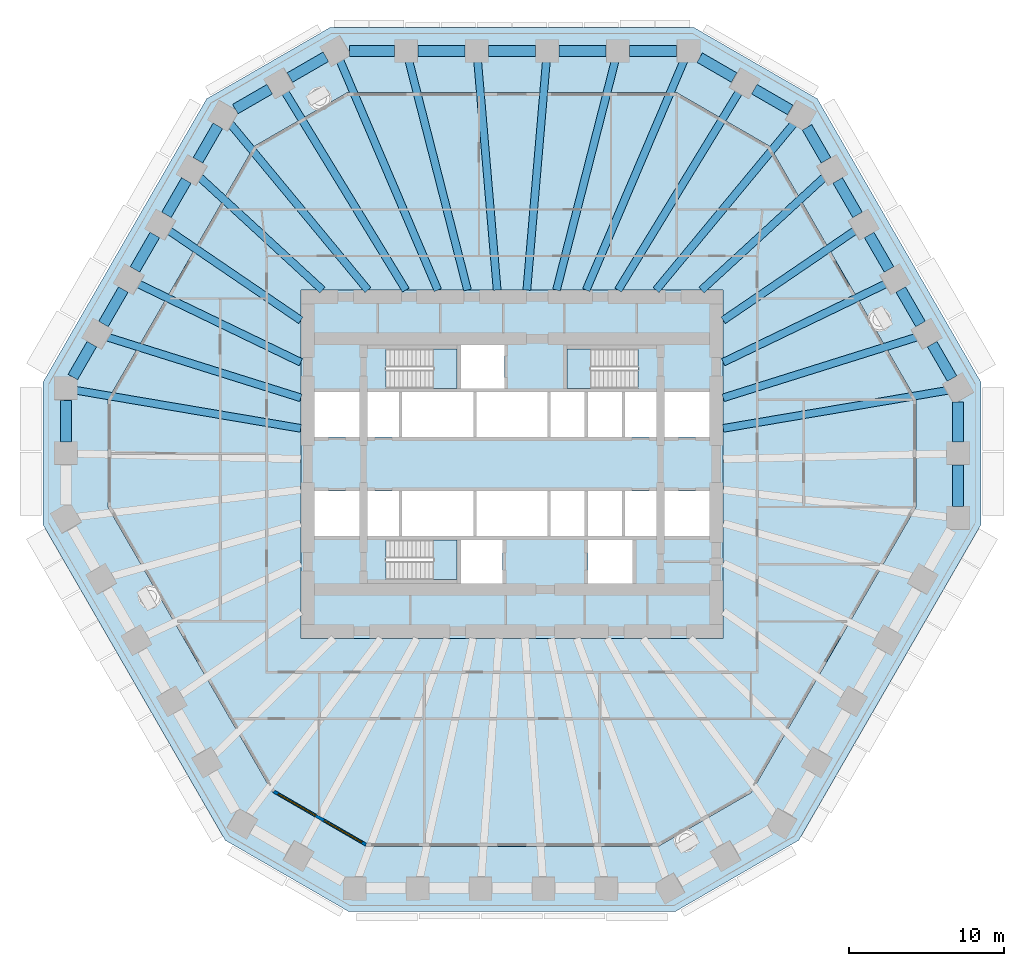
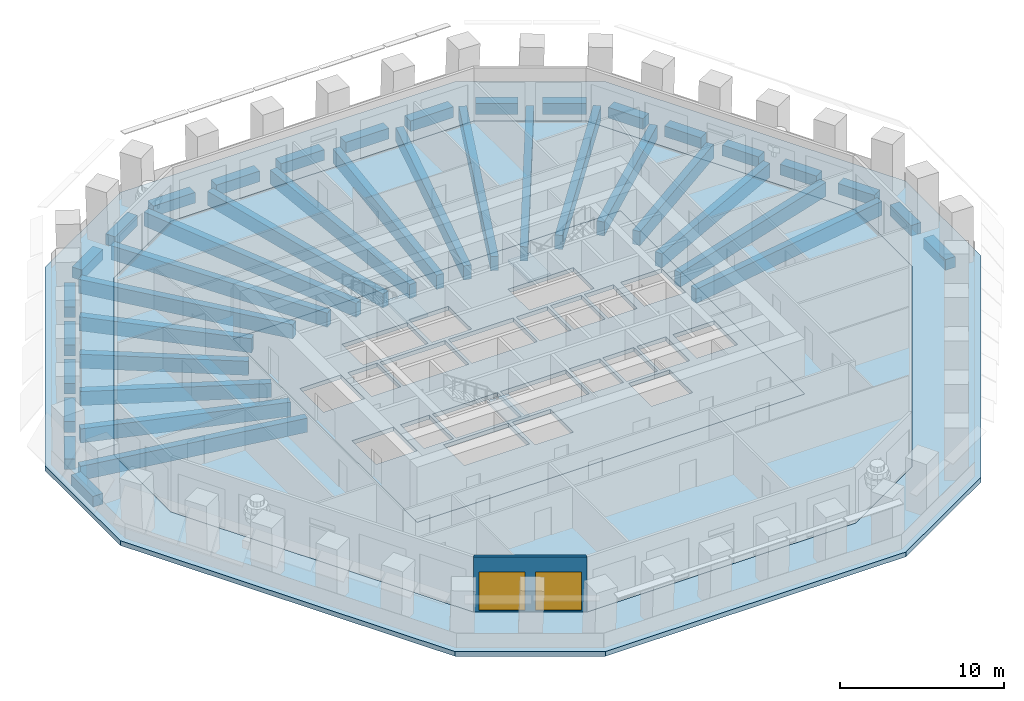
# One storey, part 2 of 13: 42 beams, 6 slabs, 2 windows, 1 wall, 2 openings, 3 elements without a shape of their own.
"""IFC4 building model written with IfcOpenShell, lengths in metres."""

from ifc_helpers import new_model, si_unit, direction, frame, frame_2d, origin, origin_2d, place, context, subcontext, project, spatial, polyline, rectangle, outline, extrude, material, layer, layer_set, material_profile, profile_set, type_object, element, fill, aggregate, save


model = new_model("IFC4")

# Units and contexts
model_context = context("Model", 3, precision=1e-05, world=origin(), true_north=direction((0.0, 1.0)))
body_context = subcontext(model_context, "Body", "Model", "MODEL_VIEW")
ifc_project = project(units=[si_unit("LENGTHUNIT", "METRE"), si_unit("AREAUNIT", "SQUARE_METRE"), si_unit("VOLUMEUNIT", "CUBIC_METRE"), si_unit("PLANEANGLEUNIT", "RADIAN"), si_unit("MASSUNIT", "GRAM", prefix="KILO")], contexts=[model_context])

# Site, building, storey
site_placement = place(None, origin())
site = spatial("IfcSite", under=ifc_project, at=site_placement, CompositionType="ELEMENT")
building_placement = place(site_placement, origin())
building = spatial("IfcBuilding", under=site, at=building_placement, Name="Frailejon Research Tower", CompositionType="ELEMENT")
storey_placement = place(building_placement, frame((0.0, 0.0, 36.60009765625)))
storey = spatial("IfcBuildingStorey", under=building, at=storey_placement, Name="L08", CompositionType="ELEMENT", Elevation=36.60009765625)

# Beams
ifc_material_1 = material(Name="Concrete C60/75", Category="concrete")
ifc_material_profile_1 = material_profile(ifc_material_1, rectangle(XDim=0.5, YDim=1.050048828125, at=origin_2d()), Name="Girder 500x1050")
ifc_profile_set_1 = profile_set([ifc_material_profile_1], Name="Concrete C60/75")
beam_type_1 = type_object("IfcBeamType", Name="Girder 500x1050", PredefinedType="BEAM", material=ifc_profile_set_1)
beam_1_placement = place(storey_placement, frame((28.1708984375, 4.7705078125, -0.8251953125), z_axis=(-0.985960444928, -0.16697904371, 0.0), x_axis=(0.16697904371, -0.985960444928, 0.0)))
element("IfcBeam", 1, at=beam_1_placement, inside=storey, type_object=beam_type_1, Name="Girder 500x1050", PredefinedType="BEAM", context=body_context, shape_type="SweptSolid", body=[
    extrude(rectangle(XDim=0.5, YDim=1.050048828125, at=origin_2d()), origin(), (0.0, 0.0, 1.0), 14.727783203125),
])
beam_2_placement = place(storey_placement, frame((26.185791015625, 8.220458984375, -0.8251953125), z_axis=(-0.954092672983, -0.299511554635, 0.0), x_axis=(0.299511554635, -0.954092672983, 0.0)))
element("IfcBeam", 2, at=beam_2_placement, inside=storey, type_object=beam_type_1, Name="Girder 500x1050", PredefinedType="BEAM", context=body_context, shape_type="SweptSolid", body=[
    extrude(rectangle(XDim=0.5, YDim=1.050048828125, at=origin_2d()), origin(), (0.0, 0.0, 1.0), 13.13916015625),
])
beam_3_placement = place(storey_placement, frame((24.197509765625, 11.670654296875, -0.8251953125), z_axis=(-0.900711727663, -0.43441729207, 0.0), x_axis=(0.43441729207, -0.900711727663, 0.0)))
element("IfcBeam", 3, at=beam_3_placement, inside=storey, type_object=beam_type_1, Name="Girder 500x1050", PredefinedType="BEAM", context=body_context, shape_type="SweptSolid", body=[
    extrude(rectangle(XDim=0.5, YDim=1.050048828125, at=origin_2d()), origin(), (0.0, 0.0, 1.0), 11.710205078125),
])
beam_4_placement = place(storey_placement, frame((22.205810546875, 15.1201171875, -0.8251953125), z_axis=(-0.826581971492, -0.562816350513, 0.0), x_axis=(0.562816350513, -0.826581971492, 0.0)))
element("IfcBeam", 4, at=beam_4_placement, inside=storey, type_object=beam_type_1, Name="Girder 500x1050", PredefinedType="BEAM", context=body_context, shape_type="SweptSolid", body=[
    extrude(rectangle(XDim=0.5, YDim=1.050048828125, at=origin_2d()), origin(), (0.0, 0.0, 1.0), 10.350830078125),
])
beam_5_placement = place(storey_placement, frame((20.2119140625, 18.5673828125, -0.8251953125), z_axis=(-0.736424772657, -0.676519441123, 0.0), x_axis=(0.676519441123, -0.736424772657, 0.0)))
element("IfcBeam", 5, at=beam_5_placement, inside=storey, type_object=beam_type_1, Name="Girder 500x1050", PredefinedType="BEAM", context=body_context, shape_type="SweptSolid", body=[
    extrude(rectangle(XDim=0.5, YDim=1.050048828125, at=origin_2d()), origin(), (0.0, 0.0, 1.0), 10.816162109375),
])
beam_6_placement = place(storey_placement, frame((18.241943359375, 22.0419921875, -0.8251953125), z_axis=(-0.637571637497, -0.770391074104, 0.0), x_axis=(0.770391074104, -0.637571637497, 0.0)))
element("IfcBeam", 6, at=beam_6_placement, inside=storey, type_object=beam_type_1, Name="Girder 500x1050", PredefinedType="BEAM", context=body_context, shape_type="SweptSolid", body=[
    extrude(rectangle(XDim=0.5, YDim=1.050048828125, at=origin_2d()), origin(), (0.0, 0.0, 1.0), 14.008544921875),
])
beam_7_placement = place(storey_placement, frame((14.692138671875, 24.09375, -0.8251953125), z_axis=(-0.520630508007, -0.853782099913, 0.0), x_axis=(0.853782099913, -0.520630508007, 0.0)))
element("IfcBeam", 7, at=beam_7_placement, inside=storey, type_object=beam_type_1, Name="Girder 500x1050", PredefinedType="BEAM", context=body_context, shape_type="SweptSolid", body=[
    extrude(rectangle(XDim=0.5, YDim=1.050048828125, at=origin_2d()), origin(), (0.0, 0.0, 1.0), 15.04345703125),
])
beam_8_placement = place(storey_placement, frame((11.117431640625, 26.087890625, -0.8251953125), z_axis=(-0.39204048186, -0.919947966237, 0.0), x_axis=(0.919947966237, -0.39204048186, 0.0)))
element("IfcBeam", 8, at=beam_8_placement, inside=storey, type_object=beam_type_1, Name="Girder 500x1050", PredefinedType="BEAM", context=body_context, shape_type="SweptSolid", body=[
    extrude(rectangle(XDim=0.5, YDim=1.050048828125, at=origin_2d()), origin(), (0.0, 0.0, 1.0), 16.129150390625),
])
beam_9_placement = place(storey_placement, frame((6.67236328125, 26.09521484375, -0.8251953125), z_axis=(-0.247728219311, -0.968829566723, 0.0), x_axis=(0.968829566723, -0.247728219311, 0.0)))
element("IfcBeam", 9, at=beam_9_placement, inside=storey, type_object=beam_type_1, Name="Girder 500x1050", PredefinedType="BEAM", context=body_context, shape_type="SweptSolid", body=[
    extrude(rectangle(XDim=0.5, YDim=1.050048828125, at=origin_2d()), origin(), (0.0, 0.0, 1.0), 15.32275390625),
])
for number, where, z_axis, x_axis, name in (
    (10, (2.224365234375, 26.099609375, -0.8251953125), (-0.084921634414, -0.996387633408, 0.0), (0.996387633408, -0.084921634414, 0.0), "Girder 500x1050"),
    (11, (-2.224365234375, 26.099609375, -0.8251953125), (0.084921634414, -0.996387633408, 0.0), (0.996387633408, 0.084921634414, 0.0), "Girder 500x1050"),
):
    element("IfcBeam", number, at=place(storey_placement, frame(where, z_axis=z_axis, x_axis=x_axis)), inside=storey, type_object=beam_type_1, Name=name, PredefinedType="BEAM", context=body_context, shape_type="SweptSolid", body=[
        extrude(rectangle(XDim=0.5, YDim=1.050048828125, at=origin_2d()), origin(), (0.0, 0.0, 1.0), 14.903564453125),
    ])
beam_10_placement = place(storey_placement, frame((-6.67236328125, 26.09521484375, -0.8251953125), z_axis=(0.247728219311, -0.968829566723, 0.0), x_axis=(0.968829566723, 0.247728219311, 0.0)))
element("IfcBeam", 12, at=beam_10_placement, inside=storey, type_object=beam_type_1, Name="Girder 500x1050", PredefinedType="BEAM", context=body_context, shape_type="SweptSolid", body=[
    extrude(rectangle(XDim=0.5, YDim=1.050048828125, at=origin_2d()), origin(), (0.0, 0.0, 1.0), 15.32275390625),
])
beam_11_placement = place(storey_placement, frame((-11.140869140625, 26.14306640625, -0.8251953125), z_axis=(0.392036512061, -0.919949657976, 0.0), x_axis=(0.919949657976, 0.392036512061, 0.0)))
element("IfcBeam", 13, at=beam_11_placement, inside=storey, type_object=beam_type_1, Name="Girder 500x1050", PredefinedType="BEAM", context=body_context, shape_type="SweptSolid", body=[
    extrude(rectangle(XDim=0.5, YDim=1.050048828125, at=origin_2d()), origin(), (0.0, 0.0, 1.0), 16.18896484375),
])
beam_12_placement = place(storey_placement, frame((-14.692138671875, 24.09375, -0.8251953125), z_axis=(0.520630508007, -0.853782099913, 0.0), x_axis=(0.853782099913, 0.520630508007, 0.0)))
element("IfcBeam", 14, at=beam_12_placement, inside=storey, type_object=beam_type_1, Name="Girder 500x1050", PredefinedType="BEAM", context=body_context, shape_type="SweptSolid", body=[
    extrude(rectangle(XDim=0.5, YDim=1.050048828125, at=origin_2d()), origin(), (0.0, 0.0, 1.0), 15.04345703125),
])
beam_13_placement = place(storey_placement, frame((-18.216796875, 22.011474609375, -0.8251953125), z_axis=(0.637576298529, -0.770387216635, 0.0), x_axis=(0.770387216635, 0.637576298529, 0.0)))
element("IfcBeam", 15, at=beam_13_placement, inside=storey, type_object=beam_type_1, Name="Girder 500x1050", PredefinedType="BEAM", context=body_context, shape_type="SweptSolid", body=[
    extrude(rectangle(XDim=0.5, YDim=1.050048828125, at=origin_2d()), origin(), (0.0, 0.0, 1.0), 13.968994140625),
])
beam_14_placement = place(storey_placement, frame((-20.2119140625, 18.5673828125, -0.8251953125), z_axis=(0.736424772657, -0.676519441123, 0.0), x_axis=(0.676519441123, 0.736424772657, 0.0)))
element("IfcBeam", 16, at=beam_14_placement, inside=storey, type_object=beam_type_1, Name="Girder 500x1050", PredefinedType="BEAM", context=body_context, shape_type="SweptSolid", body=[
    extrude(rectangle(XDim=0.5, YDim=1.050048828125, at=origin_2d()), origin(), (0.0, 0.0, 1.0), 10.816162109375),
])
beam_15_placement = place(storey_placement, frame((-22.205810546875, 15.1201171875, -0.8251953125), z_axis=(0.826581971492, -0.562816350513, 0.0), x_axis=(0.562816350513, 0.826581971492, 0.0)))
element("IfcBeam", 17, at=beam_15_placement, inside=storey, type_object=beam_type_1, Name="Girder 500x1050", PredefinedType="BEAM", context=body_context, shape_type="SweptSolid", body=[
    extrude(rectangle(XDim=0.5, YDim=1.050048828125, at=origin_2d()), origin(), (0.0, 0.0, 1.0), 10.350830078125),
])
beam_16_placement = place(storey_placement, frame((-24.197509765625, 11.670654296875, -0.8251953125), z_axis=(0.900711727663, -0.43441729207, 0.0), x_axis=(0.43441729207, 0.900711727663, 0.0)))
element("IfcBeam", 18, at=beam_16_placement, inside=storey, type_object=beam_type_1, Name="Girder 500x1050", PredefinedType="BEAM", context=body_context, shape_type="SweptSolid", body=[
    extrude(rectangle(XDim=0.5, YDim=1.050048828125, at=origin_2d()), origin(), (0.0, 0.0, 1.0), 11.710205078125),
])
beam_17_placement = place(storey_placement, frame((-26.185791015625, 8.220458984375, -0.8251953125), z_axis=(0.954092672983, -0.299511554635, 0.0), x_axis=(0.299511554635, 0.954092672983, 0.0)))
element("IfcBeam", 19, at=beam_17_placement, inside=storey, type_object=beam_type_1, Name="Girder 500x1050", PredefinedType="BEAM", context=body_context, shape_type="SweptSolid", body=[
    extrude(rectangle(XDim=0.5, YDim=1.050048828125, at=origin_2d()), origin(), (0.0, 0.0, 1.0), 13.13916015625),
])
beam_18_placement = place(storey_placement, frame((-28.2099609375, 4.77685546875, -0.8251953125), z_axis=(0.985963430817, -0.166961411983, 0.0), x_axis=(0.166961411983, 0.985963430817, 0.0)))
element("IfcBeam", 20, at=beam_18_placement, inside=storey, type_object=beam_type_1, Name="Girder 500x1050", PredefinedType="BEAM", context=body_context, shape_type="SweptSolid", body=[
    extrude(rectangle(XDim=0.5, YDim=1.050048828125, at=origin_2d()), origin(), (0.0, 0.0, 1.0), 14.767333984375),
])
ifc_material_2 = material(Name="Concrete C60/75", Category="concrete")
ifc_material_profile_2 = material_profile(ifc_material_2, rectangle(XDim=0.699951171875, YDim=0.800048828125, at=origin_2d()), Name="Spandrel 700x800")
ifc_profile_set_2 = profile_set([ifc_material_profile_2], Name="Concrete C60/75")
beam_type_2 = type_object("IfcBeamType", Name="Spandrel 700x800", PredefinedType="BEAM", material=ifc_profile_set_2)
beam_19_placement = place(storey_placement, frame((28.81201171875, -2.74609375, -0.75), z_axis=(0.0, 1.0, 0.0), x_axis=(-1.0, 0.0, 0.0)))
element("IfcBeam", 21, at=beam_19_placement, inside=storey, type_object=beam_type_2, Name="Spandrel 700x800", PredefinedType="BEAM", context=body_context, shape_type="SweptSolid", body=[
    extrude(rectangle(XDim=0.699951171875, YDim=0.800048828125, at=origin_2d()), origin(), (0.0, 0.0, 1.0), 2.6875),
])
beam_20_placement = place(storey_placement, frame((28.81201171875, 1.44140625, -0.75), z_axis=(0.0, 1.0, 0.0), x_axis=(-1.0, 0.0, 0.0)))
element("IfcBeam", 22, at=beam_20_placement, inside=storey, type_object=beam_type_2, Name="Spandrel 700x800", PredefinedType="BEAM", context=body_context, shape_type="SweptSolid", body=[
    extrude(rectangle(XDim=0.699951171875, YDim=0.800048828125, at=origin_2d()), origin(), (0.0, 0.0, 1.0), 2.571533203125),
])
for number, where, z_axis, x_axis, name in (
    (23, (28.43701171875, 5.5283203125, -0.75), (-0.499977135954, 0.866038603945, 0.0), (-0.866038603945, -0.499977135954, 0.0), "Spandrel 700x800"),
    (24, (26.40087890625, 9.05517578125, -0.75), (-0.500018234033, 0.866014876105, 0.0), (-0.866014876105, -0.500018234033, 0.0), "Spandrel 700x800"),
    (25, (24.36474609375, 12.581787109375, -0.75), (-0.499977135954, 0.866038603945, 0.0), (-0.866038603945, -0.499977135954, 0.0), "Spandrel 700x800"),
    (26, (22.32861328125, 16.1083984375, -0.75), (-0.499977135954, 0.866038603945, 0.0), (-0.866038603945, -0.499977135954, 0.0), "Spandrel 700x800"),
):
    element("IfcBeam", number, at=place(storey_placement, frame(where, z_axis=z_axis, x_axis=x_axis)), inside=storey, type_object=beam_type_2, Name=name, PredefinedType="BEAM", context=body_context, shape_type="SweptSolid", body=[
        extrude(rectangle(XDim=0.699951171875, YDim=0.800048828125, at=origin_2d()), origin(), (0.0, 0.0, 1.0), 2.572265625),
    ])
beam_21_placement = place(storey_placement, frame((20.29248046875, 19.63525390625, -0.75), z_axis=(-0.500040782777, 0.866001856557, 0.0), x_axis=(-0.866001856557, -0.500040782777, 0.0)))
element("IfcBeam", 27, at=beam_21_placement, inside=storey, type_object=beam_type_2, Name="Spandrel 700x800", PredefinedType="BEAM", context=body_context, shape_type="SweptSolid", body=[
    extrude(rectangle(XDim=0.699951171875, YDim=0.800048828125, at=origin_2d()), origin(), (0.0, 0.0, 1.0), 2.456298828125),
])
beam_22_placement = place(storey_placement, frame((17.981689453125, 22.887451171875, -0.75), z_axis=(-0.866020687897, 0.500008168067, 0.0), x_axis=(-0.500008168067, -0.866020687897, 0.0)))
element("IfcBeam", 28, at=beam_22_placement, inside=storey, type_object=beam_type_2, Name="Spandrel 700x800", PredefinedType="BEAM", context=body_context, shape_type="SweptSolid", body=[
    extrude(rectangle(XDim=0.699951171875, YDim=0.800048828125, at=origin_2d()), origin(), (0.0, 0.0, 1.0), 2.6875),
])
beam_23_placement = place(storey_placement, frame((14.355224609375, 24.981201171875, -0.75), z_axis=(-0.866008514048, 0.50002925274, 0.0), x_axis=(-0.50002925274, -0.866008514048, 0.0)))
element("IfcBeam", 29, at=beam_23_placement, inside=storey, type_object=beam_type_2, Name="Spandrel 700x800", PredefinedType="BEAM", context=body_context, shape_type="SweptSolid", body=[
    extrude(rectangle(XDim=0.699951171875, YDim=0.800048828125, at=origin_2d()), origin(), (0.0, 0.0, 1.0), 2.571533203125),
])
for number, where, z_axis, x_axis, name in (
    (30, (10.628173828125, 26.699951171875, -0.75), (-1.0, 0.0, 0.0), (0.0, -1.0, 0.0), "Spandrel 700x800"),
    (31, (6.076904296875, 26.699951171875, -0.75), (-1.0, 0.0, 0.0), (0.0, -1.0, 0.0), "Spandrel 700x800"),
    (32, (1.525634765625, 26.699951171875, -0.75), (-1.0, 0.0, 0.0), (0.0, -1.0, 0.0), "Spandrel 700x800"),
    (33, (-3.025634765625, 26.699951171875, -0.75), (-1.0, 0.0, 0.0), (0.0, -1.0, 0.0), "Spandrel 700x800"),
):
    element("IfcBeam", number, at=place(storey_placement, frame(where, z_axis=z_axis, x_axis=x_axis)), inside=storey, type_object=beam_type_2, Name=name, PredefinedType="BEAM", context=body_context, shape_type="SweptSolid", body=[
        extrude(rectangle(XDim=0.699951171875, YDim=0.800048828125, at=origin_2d()), origin(), (0.0, 0.0, 1.0), 3.05126953125),
    ])
beam_24_placement = place(storey_placement, frame((-7.576904296875, 26.699951171875, -0.75), z_axis=(-1.0, 0.0, 0.0), x_axis=(0.0, -1.0, 0.0)))
element("IfcBeam", 34, at=beam_24_placement, inside=storey, type_object=beam_type_2, Name="Spandrel 700x800", PredefinedType="BEAM", context=body_context, shape_type="SweptSolid", body=[
    extrude(rectangle(XDim=0.699951171875, YDim=0.800048828125, at=origin_2d()), origin(), (0.0, 0.0, 1.0), 2.935302734375),
])
beam_25_placement = place(storey_placement, frame((-12.027587890625, 26.324951171875, -0.75), z_axis=(-0.866043397086, -0.499968833392, 0.0), x_axis=(0.499968833392, -0.866043397086, 0.0)))
element("IfcBeam", 35, at=beam_25_placement, inside=storey, type_object=beam_type_2, Name="Spandrel 700x800", PredefinedType="BEAM", context=body_context, shape_type="SweptSolid", body=[
    extrude(rectangle(XDim=0.699951171875, YDim=0.800048828125, at=origin_2d()), origin(), (0.0, 0.0, 1.0), 2.687744140625),
])
beam_26_placement = place(storey_placement, frame((-15.654296875, 24.231201171875, -0.75), z_axis=(-0.866008514048, -0.50002925274, 0.0), x_axis=(0.50002925274, -0.866008514048, 0.0)))
element("IfcBeam", 36, at=beam_26_placement, inside=storey, type_object=beam_type_2, Name="Spandrel 700x800", PredefinedType="BEAM", context=body_context, shape_type="SweptSolid", body=[
    extrude(rectangle(XDim=0.699951171875, YDim=0.800048828125, at=origin_2d()), origin(), (0.0, 0.0, 1.0), 2.571533203125),
])
for number, where, z_axis, x_axis, name in (
    (37, (-19.00634765625, 21.86279296875, -0.75), (-0.500018234033, -0.866014876105, 0.0), (0.866014876105, -0.500018234033, 0.0), "Spandrel 700x800"),
    (38, (-21.04248046875, 18.336181640625, -0.75), (-0.499977135954, -0.866038603945, 0.0), (0.866038603945, -0.499977135954, 0.0), "Spandrel 700x800"),
    (39, (-23.07861328125, 14.8095703125, -0.75), (-0.499977135954, -0.866038603945, 0.0), (0.866038603945, -0.499977135954, 0.0), "Spandrel 700x800"),
    (40, (-25.11474609375, 11.28271484375, -0.75), (-0.500018234033, -0.866014876105, 0.0), (0.866014876105, -0.500018234033, 0.0), "Spandrel 700x800"),
):
    element("IfcBeam", number, at=place(storey_placement, frame(where, z_axis=z_axis, x_axis=x_axis)), inside=storey, type_object=beam_type_2, Name=name, PredefinedType="BEAM", context=body_context, shape_type="SweptSolid", body=[
        extrude(rectangle(XDim=0.699951171875, YDim=0.800048828125, at=origin_2d()), origin(), (0.0, 0.0, 1.0), 2.572265625),
    ])
beam_27_placement = place(storey_placement, frame((-27.15087890625, 7.756103515625, -0.75), z_axis=(-0.499966237329, -0.866044895794, 0.0), x_axis=(0.866044895794, -0.499966237329, 0.0)))
element("IfcBeam", 41, at=beam_27_placement, inside=storey, type_object=beam_type_2, Name="Spandrel 700x800", PredefinedType="BEAM", context=body_context, shape_type="SweptSolid", body=[
    extrude(rectangle(XDim=0.699951171875, YDim=0.800048828125, at=origin_2d()), origin(), (0.0, 0.0, 1.0), 2.456298828125),
])
beam_28_placement = place(storey_placement, frame((-28.81201171875, 4.12890625, -0.75), z_axis=(0.0, -1.0, 0.0), x_axis=(1.0, 0.0, 0.0)))
element("IfcBeam", 42, at=beam_28_placement, inside=storey, type_object=beam_type_2, Name="Spandrel 700x800", PredefinedType="BEAM", context=body_context, shape_type="SweptSolid", body=[
    extrude(rectangle(XDim=0.699951171875, YDim=0.800048828125, at=origin_2d()), origin(), (0.0, 0.0, 1.0), 2.6875),
])

# Slabs
ifc_material_3 = material(Name="Concrete C70/85", Category="concrete")
ifc_layer_1 = layer(ifc_material_3, 0.300048828125)
ifc_layer_set_1 = layer_set([ifc_layer_1], Name="Core floor slab 300 C70/85")
slab_type_1 = type_object("IfcSlabType", Name="Core floor slab 300 C70/85", PredefinedType="FLOOR", material=ifc_layer_set_1)
slab_1_placement = place(storey_placement, frame((0.0, 0.0, -0.300048828125)))
element("IfcSlab", 43, at=slab_1_placement, inside=storey, type_object=slab_type_1, Name="Core floor slab", PredefinedType="FLOOR", context=body_context, shape_type="SweptSolid", body=[
    extrude(outline(polyline([(13.64990234375, -11.25), (13.64990234375, 11.25), (-13.64990234375, 11.25), (-13.64990234375, -11.25), (13.64990234375, -11.25)]), holes=[polyline([(-9.85009765625, 1.75), (-9.85009765625, 4.64990234375), (-12.75, 4.64990234375), (-12.75, 1.75), (-9.85009765625, 1.75)]), polyline([(-7.300048828125, 1.75), (-7.300048828125, 4.64990234375), (-9.35009765625, 4.64990234375), (-9.35009765625, 1.75), (-7.300048828125, 1.75)]), polyline([(-2.5, 1.75), (-2.5, 4.64990234375), (-7.10009765625, 4.64990234375), (-7.10009765625, 1.75), (-2.5, 1.75)]), polyline([(2.300048828125, 1.75), (2.300048828125, 4.64990234375), (-2.300048828125, 4.64990234375), (-2.300048828125, 1.75), (2.300048828125, 1.75)]), polyline([(4.699951171875, 1.75), (4.699951171875, 4.64990234375), (2.5, 4.64990234375), (2.5, 1.75), (4.699951171875, 1.75)]), polyline([(7.10009765625, 1.75), (7.10009765625, 4.64990234375), (4.89990234375, 4.64990234375), (4.89990234375, 1.75), (7.10009765625, 1.75)]), polyline([(9.35009765625, 1.75), (9.35009765625, 4.64990234375), (7.300048828125, 4.64990234375), (7.300048828125, 1.75), (9.35009765625, 1.75)]), polyline([(12.75, 1.75), (12.75, 4.64990234375), (9.85009765625, 4.64990234375), (9.85009765625, 1.75), (12.75, 1.75)]), polyline([(-9.85009765625, -4.64990234375), (-9.85009765625, -1.75), (-12.75, -1.75), (-12.75, -4.64990234375), (-9.85009765625, -4.64990234375)]), polyline([(-7.300048828125, -4.64990234375), (-7.300048828125, -1.75), (-9.35009765625, -1.75), (-9.35009765625, -4.64990234375), (-7.300048828125, -4.64990234375)]), polyline([(-2.5, -4.64990234375), (-2.5, -1.75), (-7.10009765625, -1.75), (-7.10009765625, -4.64990234375), (-2.5, -4.64990234375)]), polyline([(2.300048828125, -4.64990234375), (2.300048828125, -1.75), (-2.300048828125, -1.75), (-2.300048828125, -4.64990234375), (2.300048828125, -4.64990234375)]), polyline([(4.699951171875, -4.64990234375), (4.699951171875, -1.75), (2.5, -1.75), (2.5, -4.64990234375), (4.699951171875, -4.64990234375)]), polyline([(7.10009765625, -4.64990234375), (7.10009765625, -1.75), (4.89990234375, -1.75), (4.89990234375, -4.64990234375), (7.10009765625, -4.64990234375)]), polyline([(9.35009765625, -4.64990234375), (9.35009765625, -1.75), (7.300048828125, -1.75), (7.300048828125, -4.64990234375), (9.35009765625, -4.64990234375)]), polyline([(12.75, -4.64990234375), (12.75, -1.75), (9.85009765625, -1.75), (9.85009765625, -4.64990234375), (12.75, -4.64990234375)]), polyline([(-8.14697265625, 4.89990234375), (-3.550048828125, 4.89990234375), (-3.550048828125, 7.449951171875), (-8.14697265625, 7.449951171875), (-8.14697265625, 4.89990234375)]), polyline([(-8.14697265625, -7.449951171875), (-3.550048828125, -7.449951171875), (-3.550048828125, -4.89990234375), (-8.14697265625, -4.89990234375), (-8.14697265625, -7.449951171875)]), polyline([(8.14697265625, 7.449951171875), (3.550048828125, 7.449951171875), (3.550048828125, 4.89990234375), (8.14697265625, 4.89990234375), (8.14697265625, 7.449951171875)]), polyline([(-0.60009765625, -7.699951171875), (-0.60009765625, -4.89990234375), (-3.300048828125, -4.89990234375), (-3.300048828125, -7.699951171875), (-0.60009765625, -7.699951171875)]), polyline([(7.800048828125, -7.699951171875), (7.800048828125, -4.89990234375), (4.89990234375, -4.89990234375), (4.89990234375, -7.699951171875), (7.800048828125, -7.699951171875)]), polyline([(-0.5, 4.89990234375), (-0.5, 7.699951171875), (-3.300048828125, 7.699951171875), (-3.300048828125, 4.89990234375), (-0.5, 4.89990234375)])]), origin(), (0.0, 0.0, 1.0), 0.300048828125),
])
ifc_material_4 = material(Name="Concrete C40/50", Category="concrete")
ifc_layer_2 = layer(ifc_material_4, 0.35009765625)
ifc_layer_set_2 = layer_set([ifc_layer_2], Name="Loggia slab 350")
slab_type_2 = type_object("IfcSlabType", Name="Loggia slab 350", PredefinedType="USERDEFINED", material=ifc_layer_set_2)
slab_2_placement = place(storey_placement, frame((0.0, 0.0, -0.35009765625)))
element("IfcSlab", 44, at=slab_2_placement, inside=storey, type_object=slab_type_2, Name="Loggia slab L08", ObjectType="LOGGIA", PredefinedType="USERDEFINED", context=body_context, shape_type="SweptSolid", body=[
    extrude(outline(polyline([(18.531982421875, -24.302001953125), (10.58251953125, -28.891357421875), (-10.58251953125, -28.891357421875), (-18.531982421875, -24.302001953125), (-30.31201171875, -3.898193359375), (-30.31201171875, 5.281005859375), (-19.7294921875, 23.610595703125), (-11.780029296875, 28.199951171875), (11.780029296875, 28.199951171875), (19.7294921875, 23.610595703125), (30.31201171875, 5.281005859375), (30.31201171875, -3.898193359375), (18.531982421875, -24.302001953125)]), holes=[polyline([(26.112060546875, 4.155517578125), (16.65478515625, 20.535888671875), (10.65478515625, 24.0), (-10.65478515625, 24.0), (-16.65478515625, 20.535888671875), (-26.112060546875, 4.155517578125), (-26.112060546875, -2.772705078125), (-15.457275390625, -21.227294921875), (-9.457275390625, -24.69140625), (9.457275390625, -24.69140625), (15.457275390625, -21.227294921875), (26.112060546875, -2.772705078125), (26.112060546875, 4.155517578125)])]), origin(), (0.0, 0.0, 1.0), 0.35009765625),
])
ifc_material_5 = material(Name="Concrete C40/50", Category="concrete")
ifc_layer_3 = layer(ifc_material_5, 0.300048828125)
ifc_layer_set_3 = layer_set([ifc_layer_3], Name="Slab typical 300")
slab_type_3 = type_object("IfcSlabType", Name="Slab typical 300", PredefinedType="FLOOR", material=ifc_layer_set_3)
slab_3_placement = place(storey_placement, frame((0.0, 0.0, -0.300048828125)))
element("IfcSlab", 45, at=slab_3_placement, inside=storey, type_object=slab_type_3, Name="Floor slab L08", PredefinedType="FLOOR", context=body_context, shape_type="SweptSolid", body=[
    extrude(outline(polyline([(26.112060546875, -2.772705078125), (26.112060546875, 4.155517578125), (16.65478515625, 20.535888671875), (10.65478515625, 24.0), (-10.65478515625, 24.0), (-16.65478515625, 20.535888671875), (-26.112060546875, 4.155517578125), (-26.112060546875, -2.772705078125), (-15.457275390625, -21.227294921875), (-9.457275390625, -24.69140625), (9.457275390625, -24.69140625), (15.457275390625, -21.227294921875), (26.112060546875, -2.772705078125)]), holes=[polyline([(13.64990234375, -11.25), (-13.64990234375, -11.25), (-13.64990234375, 11.25), (13.64990234375, 11.25), (13.64990234375, -11.25)])]), origin(), (0.0, 0.0, 1.0), 0.300048828125),
])

# Stair, slab
ifc_material_6 = material(Name="Concrete C50/60", Category="concrete")
stair_type = type_object("IfcStairType", Name="Exit stair 24 risers", PredefinedType="HALF_TURN_STAIR", material=ifc_material_6)
stair_1_placement = place(storey_placement, origin())
stair_1 = element("IfcStair", 46, at=stair_1_placement, inside=storey, type_object=stair_type, Name="L08 Exit stair ST1", PredefinedType="HALF_TURN_STAIR")
ifc_material_7 = material(Name="Concrete C50/60", Category="concrete")
ifc_layer_4 = layer(ifc_material_7, 0.199951171875)
ifc_layer_set_4 = layer_set([ifc_layer_4], Name="Stair landing slab 200")
slab_type_4 = type_object("IfcSlabType", Name="Stair landing slab 200", PredefinedType="LANDING", material=ifc_layer_set_4)
slab_4_placement = place(storey_placement, frame((0.0, 0.0, 2.0)))
slab_4 = element("IfcSlab", 47, at=slab_4_placement, type_object=slab_type_4, Name="ST1 landing 1", PredefinedType="LANDING", context=body_context, shape_type="SweptSolid", body=[
    extrude(outline(polyline([(-5.070068359375, 4.89990234375), (-3.550048828125, 4.89990234375), (-3.550048828125, 7.449951171875), (-5.070068359375, 7.449951171875), (-5.070068359375, 4.89990234375)])), origin(), (0.0, 0.0, 1.0), 0.199951171875),
])
aggregate(stair_1, [slab_4])

stair_2_placement = place(storey_placement, origin())
stair_2 = element("IfcStair", 48, at=stair_2_placement, inside=storey, type_object=stair_type, Name="L08 Exit stair ST2", PredefinedType="HALF_TURN_STAIR")
slab_5_placement = place(storey_placement, frame((0.0, 0.0, 2.0)))
slab_5 = element("IfcSlab", 49, at=slab_5_placement, type_object=slab_type_4, Name="ST2 landing 1", PredefinedType="LANDING", context=body_context, shape_type="SweptSolid", body=[
    extrude(outline(polyline([(-5.070068359375, -7.449951171875), (-3.550048828125, -7.449951171875), (-3.550048828125, -4.89990234375), (-5.070068359375, -4.89990234375), (-5.070068359375, -7.449951171875)])), origin(), (0.0, 0.0, 1.0), 0.199951171875),
])
aggregate(stair_2, [slab_5])

stair_3_placement = place(storey_placement, origin())
stair_3 = element("IfcStair", 50, at=stair_3_placement, inside=storey, type_object=stair_type, Name="L08 Exit stair ST3", PredefinedType="HALF_TURN_STAIR")
slab_6_placement = place(storey_placement, frame((0.0, 0.0, 2.0)))
slab_6 = element("IfcSlab", 51, at=slab_6_placement, type_object=slab_type_4, Name="ST3 landing 1", PredefinedType="LANDING", context=body_context, shape_type="SweptSolid", body=[
    extrude(outline(polyline([(5.070068359375, 7.449951171875), (3.550048828125, 7.449951171875), (3.550048828125, 4.89990234375), (5.070068359375, 4.89990234375), (5.070068359375, 7.449951171875)])), origin(), (0.0, 0.0, 1.0), 0.199951171875),
])
aggregate(stair_3, [slab_6])

# Wall, openings, windows
ifc_material_8 = material(Name="Concrete C40/50 precast window wall panel", Category="concrete")
ifc_layer_5 = layer(ifc_material_8, 0.199951171875)
ifc_layer_set_5 = layer_set([ifc_layer_5], Name="Window wall 200")
wall_type = type_object("IfcWallType", Name="Window wall 200", PredefinedType="SOLIDWALL", material=ifc_layer_set_5)
wall_placement = place(storey_placement, frame((-15.384033203125, -21.154052734375, 0.0), z_axis=(0.0, 0.0, 1.0), x_axis=(0.866029458321, -0.49999297727, 0.0)))
wall = element("IfcWall", 52, at=wall_placement, inside=storey, type_object=wall_type, Name="Exterior wall L08", PredefinedType="SOLIDWALL", context=body_context, shape_type="SweptSolid", body=[
    extrude(outline(polyline([(-0.02685546875, -0.10009765625), (1.1279296875, -0.10009765625), (2.282470703125, -0.10009765625), (3.437255859375, -0.10009765625), (4.592041015625, -0.10009765625), (5.74658203125, -0.10009765625), (6.9013671875, -0.10009765625), (6.84765625, 0.10009765625), (5.7109375, 0.10009765625), (4.573974609375, 0.10009765625), (3.437255859375, 0.10009765625), (2.300537109375, 0.10009765625), (1.16357421875, 0.10009765625), (0.02685546875, 0.10009765625), (-0.02685546875, -0.10009765625)])), origin(), (0.0, 0.0, 1.0), 4.099853515625),
])
opening_1_placement = place(wall_placement, frame((0.318603515625, 0.0, 0.10009765625)))
opening_1 = element("IfcOpeningElement", 53, at=opening_1_placement, cuts=wall, Name="Opening W3", PredefinedType="OPENING", context=body_context, shape_type="SweptSolid", body=[
    extrude(rectangle(XDim=2.800048828125, YDim=2.89990234375, at=frame_2d((1.39990234375, 1.449951171875))), frame((0.0, 0.10986328125, 0.0), z_axis=(0.0, -1.0, 0.0), x_axis=(1.0, 0.0, 0.0)), (0.0, 0.0, 1.0), 0.219970703125),
])
opening_2_placement = place(wall_placement, frame((3.756103515625, 0.0, 0.10009765625)))
opening_2 = element("IfcOpeningElement", 54, at=opening_2_placement, cuts=wall, Name="Opening W3", PredefinedType="OPENING", context=body_context, shape_type="SweptSolid", body=[
    extrude(rectangle(XDim=2.800048828125, YDim=2.89990234375, at=frame_2d((1.39990234375, 1.449951171875))), frame((0.0, 0.10986328125, 0.0), z_axis=(0.0, -1.0, 0.0), x_axis=(1.0, 0.0, 0.0)), (0.0, 0.0, 1.0), 0.219970703125),
])
ifc_material_9 = material(Name="Aluminium framed double glazing", Category="aluminium")
window_type = type_object("IfcWindowType", Name="Window 2800x2900", PartitioningType="SINGLE_PANEL", PredefinedType="WINDOW", material=ifc_material_9)
window_1_placement = place(opening_1_placement, origin())
window_1 = element("IfcWindow", 55, at=window_1_placement, inside=storey, type_object=window_type, Name="Window L08", OverallHeight=2.89990234375, OverallWidth=2.800048828125, PartitioningType="SINGLE_PANEL", PredefinedType="WINDOW", context=body_context, shape_type="SweptSolid", body=[
    extrude(rectangle(XDim=2.800048828125, YDim=2.89990234375, at=frame_2d((1.39990234375, 1.449951171875))), frame((0.0, 0.030029296875, 0.0), z_axis=(0.0, -1.0, 0.0), x_axis=(1.0, 0.0, 0.0)), (0.0, 0.0, 1.0), 0.06005859375),
])
fill(opening_1, window_1)
window_2_placement = place(opening_2_placement, origin())
window_2 = element("IfcWindow", 56, at=window_2_placement, inside=storey, type_object=window_type, Name="Window L08", OverallHeight=2.89990234375, OverallWidth=2.800048828125, PartitioningType="SINGLE_PANEL", PredefinedType="WINDOW", context=body_context, shape_type="SweptSolid", body=[
    extrude(rectangle(XDim=2.800048828125, YDim=2.89990234375, at=frame_2d((1.39990234375, 1.449951171875))), frame((0.0, 0.030029296875, 0.0), z_axis=(0.0, -1.0, 0.0), x_axis=(1.0, 0.0, 0.0)), (0.0, 0.0, 1.0), 0.06005859375),
])
fill(opening_2, window_2)

save(model, "model.ifc")
